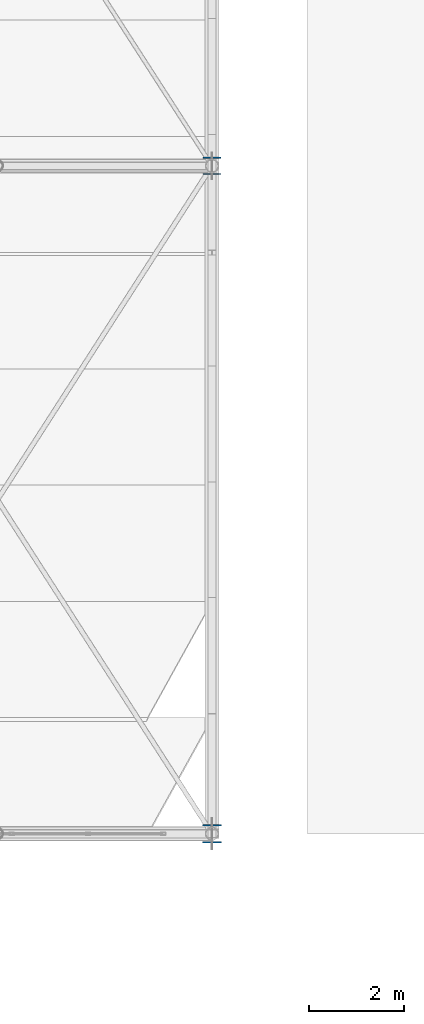
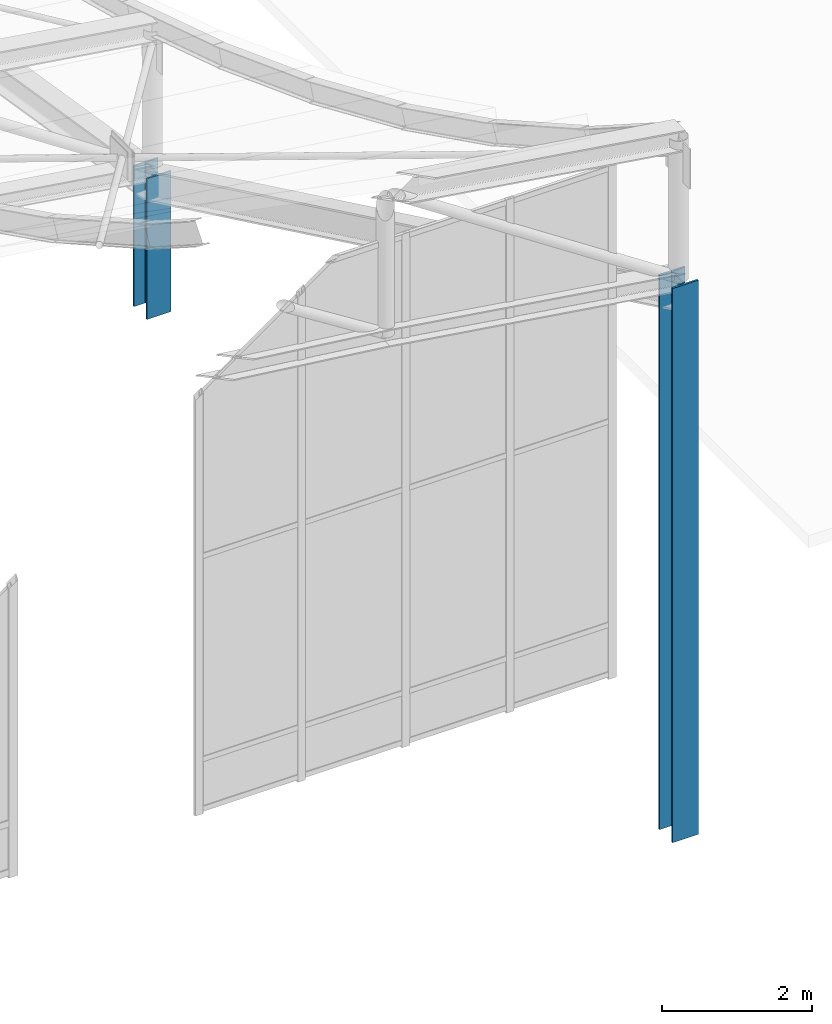
# One storey, part 8 of 262: 2 columns.
"""IFC4 building model written with IfcOpenShell, lengths in metres."""

from ifc_helpers import new_model, si_unit, derived_unit, direction, frame, origin, origin_2d, place, context, subcontext, project, spatial, i_section, extrude, material, material_profile, profile_set, type_object, element, save


model = new_model("IFC4")

# Units and contexts
model_context = context("Model", 3, precision=1e-05, world=origin(), true_north=direction((0.0, 1.0)))
body_context = subcontext(model_context, "Body", "Model", "MODEL_VIEW")
ifc_project = project(units=[si_unit("LENGTHUNIT", "METRE"), si_unit("AREAUNIT", "SQUARE_METRE"), si_unit("VOLUMEUNIT", "CUBIC_METRE"), si_unit("PLANEANGLEUNIT", "RADIAN"), si_unit("MASSUNIT", "GRAM", prefix="KILO"), derived_unit("THERMALTRANSMITTANCEUNIT", [(si_unit("POWERUNIT", "WATT"), 1), (si_unit("LENGTHUNIT", "METRE"), -2), (si_unit("THERMODYNAMICTEMPERATUREUNIT", "KELVIN"), -1)])], contexts=[model_context])

# Site, building, storey
site_placement = place(None, origin())
site = spatial("IfcSite", under=ifc_project, at=site_placement, CompositionType="ELEMENT")
building_placement = place(site_placement, origin())
building = spatial("IfcBuilding", under=site, at=building_placement, Name="Almenara Railside Exhibition Hall", CompositionType="ELEMENT")
storey_placement = place(building_placement, frame((0.0, 0.0, 21.699951171875)))
storey = spatial("IfcBuildingStorey", under=building, at=storey_placement, Name="RF", CompositionType="ELEMENT", Elevation=21.699951171875)

# Columns
ifc_material = material(Name="Structural steel S355JR", Category="steel")
ifc_material_profile_1 = material_profile(ifc_material, i_section(OverallWidth=0.37255859375, OverallDepth=0.3681640625, WebThickness=0.014404296875, FlangeThickness=0.023681640625, FilletRadius=0.01513671875, at=origin_2d()), Name="UC 356x368x177")
ifc_profile_set_1 = profile_set([ifc_material_profile_1], Name="Structural steel S355JR")
column_type_1 = type_object("IfcColumnType", Name="Steel Column UC 356x368x177 S355JR", PredefinedType="COLUMN", material=ifc_profile_set_1)
column_1_placement = place(storey_placement, frame((192.0, 48.0, -9.599853515625), z_axis=(0.0, 0.0, 1.0), x_axis=(1.0, 0.0, 0.0)))
element("IfcColumn", 1, at=column_1_placement, inside=storey, type_object=column_type_1, Name="V2 scroll portal column 2", PredefinedType="COLUMN", context=body_context, shape_type="SweptSolid", body=[
    extrude(i_section(OverallWidth=0.37255859375, OverallDepth=0.3681640625, WebThickness=0.014404296875, FlangeThickness=0.023681640625, FilletRadius=0.01513671875, at=origin_2d()), origin(), (0.0, 0.0, 1.0), 2.283447265625),
])
ifc_material_profile_2 = material_profile(ifc_material, i_section(OverallWidth=0.394775390625, OverallDepth=0.381103515625, WebThickness=0.018310546875, FlangeThickness=0.0302734375, FilletRadius=0.01513671875, at=origin_2d()), Name="UC 356x406x235")
ifc_profile_set_2 = profile_set([ifc_material_profile_2], Name="Structural steel S355JR")
column_type_2 = type_object("IfcColumnType", Name="Steel Column UC 356x406x235 S355JR", PredefinedType="COLUMN", material=ifc_profile_set_2)
column_2_placement = place(storey_placement, frame((192.0, 34.0, -9.599853515625), z_axis=(0.0, 0.0, 1.0), x_axis=(1.0, 0.0, 0.0)))
element("IfcColumn", 2, at=column_2_placement, inside=storey, type_object=column_type_2, Name="V2 scroll portal column 1", PredefinedType="COLUMN", context=body_context, shape_type="SweptSolid", body=[
    extrude(i_section(OverallWidth=0.394775390625, OverallDepth=0.381103515625, WebThickness=0.018310546875, FlangeThickness=0.0302734375, FilletRadius=0.01513671875, at=origin_2d()), origin(), (0.0, 0.0, 1.0), 9.0),
])

save(model, "model.ifc")
